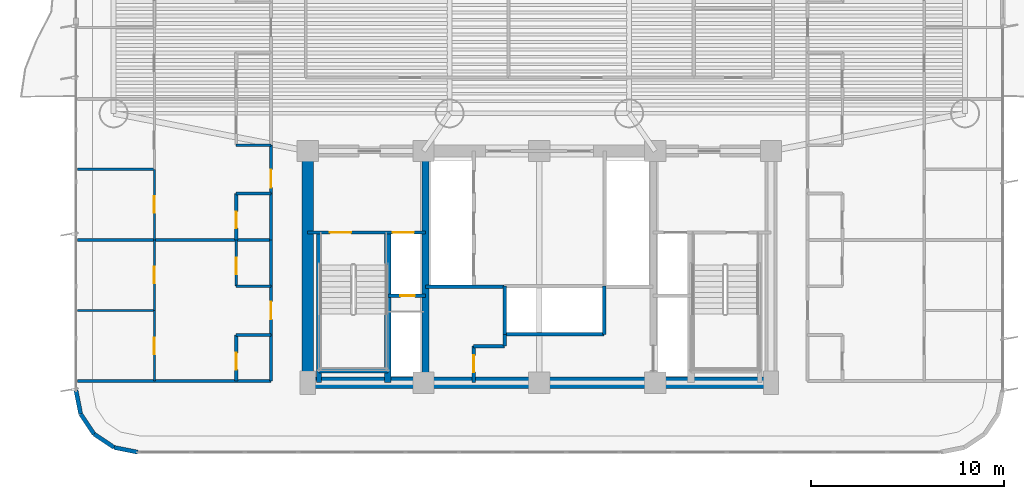
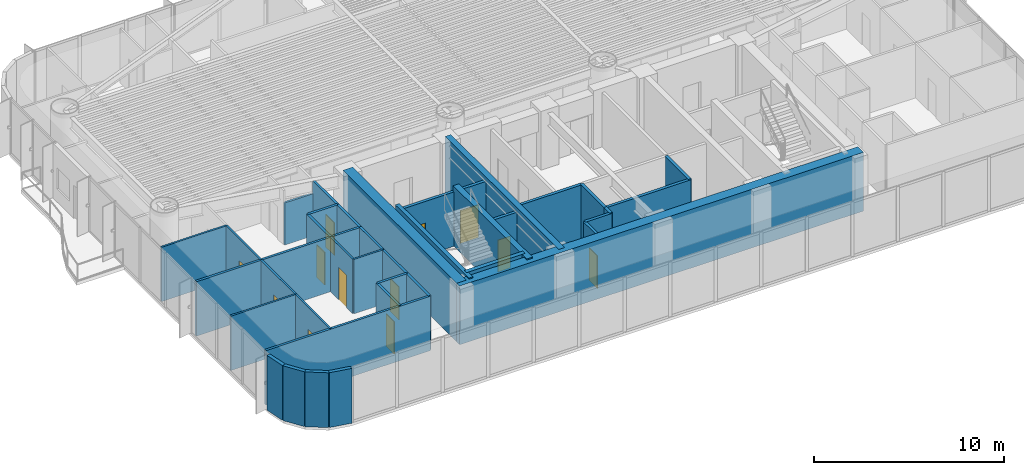
# One storey, part 10 of 19: 38 walls, 12 doors, 12 openings.
"""IFC4 building model written with IfcOpenShell, lengths in metres."""

from ifc_helpers import new_model, si_unit, direction, frame, frame_2d, origin, origin_2d, place, context, subcontext, project, spatial, rectangle, extrude, source, transform, mapped, material, layer, layer_set, type_object, element, fill, save


model = new_model("IFC4")

# Units and contexts
model_context = context("Model", 3, precision=1e-05, world=origin(), true_north=direction((0.0, 1.0)))
body_context = subcontext(model_context, "Body", "Model", "MODEL_VIEW")
ifc_project = project(units=[si_unit("LENGTHUNIT", "METRE"), si_unit("AREAUNIT", "SQUARE_METRE"), si_unit("VOLUMEUNIT", "CUBIC_METRE"), si_unit("PLANEANGLEUNIT", "RADIAN"), si_unit("MASSUNIT", "GRAM", prefix="KILO")], contexts=[model_context])

# Site, building, storey
site_placement = place(None, origin())
site = spatial("IfcSite", under=ifc_project, at=site_placement, CompositionType="ELEMENT")
building_placement = place(site_placement, origin())
building = spatial("IfcBuilding", under=site, at=building_placement, Name="Brelvock Crest Care Tower", CompositionType="ELEMENT")
storey_placement = place(building_placement, frame((0.0, 0.0, 30.780029296875)))
storey = spatial("IfcBuildingStorey", under=building, at=storey_placement, Name="L07", CompositionType="ELEMENT", Elevation=30.780029296875)

# Walls
ifc_material_1 = material(Name="Concrete S80 (80 MPa)", Category="concrete")
ifc_layer_1 = layer(ifc_material_1, 0.60009765625, Name="WL-CS1")
ifc_layer_set_1 = layer_set([ifc_layer_1], Name="Concrete S80 (80 MPa)")
wall_type_1 = type_object("IfcWallType", Name="WL-CS1", PredefinedType="SHEAR", material=ifc_layer_set_1)
wall_1_placement = place(storey_placement, frame((48.300048828125, 6.0, 0.0), z_axis=(0.0, 0.0, 1.0), x_axis=(-1.0, 0.0, 0.0)))
element("IfcWall", 1, at=wall_1_placement, inside=storey, type_object=wall_type_1, Name="L07 Core South Shear Wall", PredefinedType="SHEAR", context=body_context, shape_type="SweptSolid", body=[
    extrude(rectangle(XDim=24.60009765625, YDim=0.60009765625, at=frame_2d((12.300048828125, 0.0))), origin(), (0.0, 0.0, 1.0), 3.780029296875),
])
wall_2_placement = place(storey_placement, frame((24.0, 6.0, 0.0), z_axis=(0.0, 0.0, 1.0), x_axis=(0.0, 1.0, 0.0)))
element("IfcWall", 2, at=wall_2_placement, inside=storey, type_object=wall_type_1, Name="L07 Core West Shear Wall", PredefinedType="SHEAR", context=body_context, shape_type="SweptSolid", body=[
    extrude(rectangle(XDim=12.0, YDim=0.60009765625, at=frame_2d((6.0, 0.0))), origin(), (0.0, 0.0, 1.0), 3.780029296875),
])
ifc_layer_2 = layer(ifc_material_1, 0.35009765625, Name="WL-CS5")
ifc_layer_set_2 = layer_set([ifc_layer_2], Name="Concrete S80 (80 MPa)")
wall_type_2 = type_object("IfcWallType", Name="WL-CS5", PredefinedType="SHEAR", material=ifc_layer_set_2)
wall_3_placement = place(storey_placement, frame((30.10009765625, 6.0, 0.0), z_axis=(0.0, 0.0, 1.0), x_axis=(0.0, 1.0, 0.0)))
element("IfcWall", 3, at=wall_3_placement, inside=storey, type_object=wall_type_2, Name="L07 Core Internal Web Wall West", PredefinedType="SHEAR", context=body_context, shape_type="SweptSolid", body=[
    extrude(rectangle(XDim=12.0, YDim=0.35009765625, at=frame_2d((6.0, 0.0))), origin(), (0.0, 0.0, 1.0), 3.780029296875),
])
wall_4_placement = place(storey_placement, frame((28.14990234375, 6.0, 0.0), z_axis=(0.0, 0.0, 1.0), x_axis=(0.0, 1.0, 0.0)))
element("IfcWall", 4, at=wall_4_placement, inside=storey, type_object=wall_type_2, Name="L07 Core Stair ST-1 East Shear Wall", PredefinedType="SHEAR", context=body_context, shape_type="SweptSolid", body=[
    extrude(rectangle(XDim=7.780029296875, YDim=0.35009765625, at=frame_2d((3.89013671875, 0.0))), origin(), (0.0, 0.0, 1.0), 3.849853515625),
])
ifc_layer_3 = layer(ifc_material_1, 0.25, Name="WL-CS6")
ifc_layer_set_3 = layer_set([ifc_layer_3], Name="Concrete S80 (80 MPa)")
wall_type_3 = type_object("IfcWallType", Name="WL-CS6", PredefinedType="SHEAR", material=ifc_layer_set_3)
wall_5_placement = place(storey_placement, frame((24.580078125, 6.0, 0.0), z_axis=(0.0, 0.0, 1.0), x_axis=(0.0, 1.0, 0.0)))
element("IfcWall", 5, at=wall_5_placement, inside=storey, type_object=wall_type_3, Name="L07 Core Stair ST-1 West Shear Wall", PredefinedType="SHEAR", context=body_context, shape_type="SweptSolid", body=[
    extrude(rectangle(XDim=7.780029296875, YDim=0.25, at=frame_2d((3.89013671875, 0.0))), origin(), (0.0, 0.0, 1.0), 3.849853515625),
])
wall_6_placement = place(storey_placement, frame((24.580078125, 6.6201171875, 0.0), z_axis=(0.0, 0.0, 1.0), x_axis=(1.0, 0.0, 0.0)))
element("IfcWall", 6, at=wall_6_placement, inside=storey, type_object=wall_type_3, Name="L07 Core Stair ST-1 South Shear Wall", PredefinedType="SHEAR", context=body_context, shape_type="SweptSolid", body=[
    extrude(rectangle(XDim=3.56982421875, YDim=0.25, at=frame_2d((1.784912109375, 0.0))), origin(), (0.0, 0.0, 1.0), 3.849853515625),
])
ifc_material_2 = material(Name="Precast concrete N40 (40 MPa)", Category="concrete")
ifc_layer_4 = layer(ifc_material_2, 0.215087890625, Name="WL-EX2")
ifc_layer_set_4 = layer_set([ifc_layer_4], Name="Precast concrete N40 (40 MPa)")
wall_type_4 = type_object("IfcWallType", Name="WL-EX2", PredefinedType="SOLIDWALL", material=ifc_layer_set_4)
for number, where, z_axis, x_axis, name in (
    (7, (15.199951171875, 2.39990234375, 0.0), (0.0, 0.0, 1.0), (-0.980775717779, 0.195138390419, 0.0), "L07 Rounded Corner Wall 09"),
    (8, (13.975341796875, 2.6435546875, 0.0), (0.0, 0.0, 1.0), (-0.831387912822, 0.555692485475, 0.0), "L07 Rounded Corner Wall 10"),
    (9, (12.937255859375, 3.33740234375, 0.0), (0.0, 0.0, 1.0), (-0.555557312883, 0.831478245117, 0.0), "L07 Rounded Corner Wall 11"),
    (10, (12.24365234375, 4.37548828125, 0.0), (0.0, 0.0, 1.0), (-0.195138390419, 0.980775717779, 0.0), "L07 Rounded Corner Wall 12"),
):
    element("IfcWall", number, at=place(storey_placement, frame(where, z_axis=z_axis, x_axis=x_axis)), inside=storey, type_object=wall_type_4, Name=name, PredefinedType="SOLIDWALL", context=body_context, shape_type="SweptSolid", body=[
        extrude(rectangle(XDim=1.24853515625, YDim=0.215087890625, at=frame_2d((0.624267578125, 0.0))), origin(), (0.0, 0.0, 1.0), 3.530029296875),
    ])
ifc_material_3 = material(Name="Masonry Blockwork Acoustic Partition", Category="masonry")
ifc_layer_5 = layer(ifc_material_3, 0.14990234375, Name="WL-INT1")
ifc_layer_set_5 = layer_set([ifc_layer_5], Name="Masonry Blockwork Acoustic Partition")
wall_type_5 = type_object("IfcWallType", Name="WL-INT1", PredefinedType="PARTITIONING", material=ifc_layer_set_5)
for number, where, z_axis, x_axis, name in (
    (11, (12.080078125, 6.080078125, 0.0), (0.0, 0.0, 1.0), (1.0, 0.0, 0.0), "L07 Interior Wall WL-BX-L07-FL-WW1-S"),
    (12, (12.080078125, 13.39990234375, 0.0), (0.0, 0.0, 1.0), (1.0, 0.0, 0.0), "L07 Interior Wall WL-BX-L07-FL-WW1-N"),
):
    element("IfcWall", number, at=place(storey_placement, frame(where, z_axis=z_axis, x_axis=x_axis)), inside=storey, type_object=wall_type_5, Name=name, PredefinedType="PARTITIONING", context=body_context, shape_type="SweptSolid", body=[
        extrude(rectangle(XDim=10.02001953125, YDim=0.14990234375, at=frame_2d((5.010009765625, 0.0))), origin(), (0.0, 0.0, 1.0), 3.5),
    ])

# Wall, opening, door
wall_7_placement = place(storey_placement, frame((22.10009765625, 8.47998046875, 0.0), z_axis=(0.0, 0.0, 1.0), x_axis=(0.0, 1.0, 0.0)))
wall_7 = element("IfcWall", 13, at=wall_7_placement, inside=storey, type_object=wall_type_5, Name="L07 Interior Wall WL-UENT-L07-WW1", PredefinedType="PARTITIONING", context=body_context, shape_type="SweptSolid", body=[
    extrude(rectangle(XDim=2.52001953125, YDim=0.14990234375, at=frame_2d((1.260009765625, 0.0))), origin(), (0.0, 0.0, 1.0), 3.5),
])
opening_1_placement = place(wall_7_placement, frame((0.800048828125, 0.0, 0.0)))
opening_1 = element("IfcOpeningElement", 14, at=opening_1_placement, cuts=wall_7, Name="Opening AD-1", PredefinedType="OPENING", context=body_context, shape_type="SweptSolid", body=[
    extrude(rectangle(XDim=0.919921875, YDim=2.10009765625, at=origin_2d()), frame((0.4599609375, 0.0849609375, 1.050048828125), z_axis=(0.0, -1.0, 0.0), x_axis=(1.0, 0.0, 0.0)), (0.0, 0.0, 1.0), 0.169921875),
])
ifc_material_4 = material(Name="Engineered Hardwood Timber", Category="wood")
door_type_1 = type_object("IfcDoorType", Name="DR-APT1", OperationType="NOTDEFINED", PredefinedType="DOOR", material=ifc_material_4)
shared_shape_1 = source(origin(), body_context, "Body", "SweptSolid", [
    extrude(rectangle(XDim=0.919921875, YDim=2.10009765625, at=origin_2d()), frame((0.4599609375, 0.02490234375, 1.050048828125), z_axis=(0.0, -1.0, 0.0), x_axis=(1.0, 0.0, 0.0)), (0.0, 0.0, 1.0), 0.050048828125),
])
door_1_placement = place(opening_1_placement, origin())
door_1 = element("IfcDoor", 15, at=door_1_placement, inside=storey, type_object=door_type_1, Name="L07 Apartment Entrance WW1", OperationType="SINGLE_SWING_LEFT", OverallHeight=2.10009765625, OverallWidth=0.919921875, PredefinedType="DOOR", context=body_context, shape_type="MappedRepresentation", body=[
    mapped(shared_shape_1, transform((0.0, 0.0, 0.0), x_axis=(1.0, 0.0, 0.0), y_axis=(0.0, 1.0, 0.0), z_axis=(0.0, 0.0, 1.0), scale=1.0)),
])
fill(opening_1, door_1)

# Wall
wall_8_placement = place(storey_placement, frame((22.10009765625, 11.0, 0.0), z_axis=(0.0, 0.0, 1.0), x_axis=(0.0, 1.0, 0.0)))
element("IfcWall", 16, at=wall_8_placement, inside=storey, type_object=wall_type_5, Name="L07 Interior Wall WL-UCK-L07-WW1", PredefinedType="PARTITIONING", context=body_context, shape_type="SweptSolid", body=[
    extrude(rectangle(XDim=2.39990234375, YDim=0.14990234375, at=frame_2d((1.199951171875, 0.0))), origin(), (0.0, 0.0, 1.0), 3.5),
])

# Wall, opening, door
wall_9_placement = place(storey_placement, frame((22.10009765625, 15.800048828125, 0.0), z_axis=(0.0, 0.0, 1.0), x_axis=(0.0, 1.0, 0.0)))
wall_9 = element("IfcWall", 17, at=wall_9_placement, inside=storey, type_object=wall_type_5, Name="L07 Interior Wall WL-UENT-L07-WW2", PredefinedType="PARTITIONING", context=body_context, shape_type="SweptSolid", body=[
    extrude(rectangle(XDim=2.5, YDim=0.14990234375, at=frame_2d((1.25, 0.0))), origin(), (0.0, 0.0, 1.0), 3.5),
])
opening_2_placement = place(wall_9_placement, frame((0.31005859375, 0.0, 0.0)))
opening_2 = element("IfcOpeningElement", 18, at=opening_2_placement, cuts=wall_9, Name="Opening AD-1", PredefinedType="OPENING", context=body_context, shape_type="SweptSolid", body=[
    extrude(rectangle(XDim=0.919921875, YDim=2.10009765625, at=origin_2d()), frame((0.4599609375, 0.0849609375, 1.050048828125), z_axis=(0.0, -1.0, 0.0), x_axis=(1.0, 0.0, 0.0)), (0.0, 0.0, 1.0), 0.169921875),
])
door_2_placement = place(opening_2_placement, origin())
door_2 = element("IfcDoor", 19, at=door_2_placement, inside=storey, type_object=door_type_1, Name="L07 Apartment Entrance WW2", OperationType="SINGLE_SWING_LEFT", OverallHeight=2.10009765625, OverallWidth=0.919921875, PredefinedType="DOOR", context=body_context, shape_type="MappedRepresentation", body=[
    mapped(shared_shape_1, transform((0.0, 0.0, 0.0), x_axis=(1.0, 0.0, 0.0), y_axis=(0.0, 1.0, 0.0), z_axis=(0.0, 0.0, 1.0), scale=1.0)),
])
fill(opening_2, door_2)

# Walls
ifc_material_5 = material(Name="Gypsum Plasterboard Partition", Category="gypsum")
ifc_layer_6 = layer(ifc_material_5, 0.1201171875, Name="WL-INT2")
ifc_layer_set_6 = layer_set([ifc_layer_6], Name="Gypsum Plasterboard Partition")
wall_type_6 = type_object("IfcWallType", Name="WL-INT2", PredefinedType="PARTITIONING", material=ifc_layer_set_6)
wall_10_placement = place(storey_placement, frame((12.080078125, 9.739990234375, 0.0), z_axis=(0.0, 0.0, 1.0), x_axis=(1.0, 0.0, 0.0)))
element("IfcWall", 20, at=wall_10_placement, inside=storey, type_object=wall_type_6, Name="L07 Interior Wall WL-UBSP-L07-WW1", PredefinedType="PARTITIONING", context=body_context, shape_type="SweptSolid", body=[
    extrude(rectangle(XDim=3.98388671875, YDim=0.1201171875, at=frame_2d((1.991943359375, 0.0))), origin(), (0.0, 0.0, 1.0), 3.5),
])
wall_11_placement = place(storey_placement, frame((20.300048828125, 11.0, 0.0), z_axis=(0.0, 0.0, 1.0), x_axis=(1.0, 0.0, 0.0)))
element("IfcWall", 21, at=wall_11_placement, inside=storey, type_object=wall_type_6, Name="L07 Interior Wall WL-UKIT2-L07-WW1", PredefinedType="PARTITIONING", context=body_context, shape_type="SweptSolid", body=[
    extrude(rectangle(XDim=1.800048828125, YDim=0.1201171875, at=frame_2d((0.89990234375, 0.0))), origin(), (0.0, 0.0, 1.0), 3.5),
])
wall_12_placement = place(storey_placement, frame((12.080078125, 17.050048828125, 0.0), z_axis=(0.0, 0.0, 1.0), x_axis=(1.0, 0.0, 0.0)))
element("IfcWall", 22, at=wall_12_placement, inside=storey, type_object=wall_type_6, Name="L07 Interior Wall WL-UBSP-L07-WW2", PredefinedType="PARTITIONING", context=body_context, shape_type="SweptSolid", body=[
    extrude(rectangle(XDim=3.98388671875, YDim=0.1201171875, at=frame_2d((1.991943359375, 0.0))), origin(), (0.0, 0.0, 1.0), 3.5),
])
wall_13_placement = place(storey_placement, frame((20.300048828125, 18.300048828125, 0.0), z_axis=(0.0, 0.0, 1.0), x_axis=(1.0, 0.0, 0.0)))
element("IfcWall", 23, at=wall_13_placement, inside=storey, type_object=wall_type_6, Name="L07 Interior Wall WL-UKIT2-L07-WW2", PredefinedType="PARTITIONING", context=body_context, shape_type="SweptSolid", body=[
    extrude(rectangle(XDim=1.800048828125, YDim=0.1201171875, at=frame_2d((0.89990234375, 0.0))), origin(), (0.0, 0.0, 1.0), 2.715087890625),
])

# Wall, opening, door
wall_14_placement = place(storey_placement, frame((16.06396484375, 6.080078125, 0.0), z_axis=(0.0, 0.0, 1.0), x_axis=(0.0, 1.0, 0.0)))
wall_14 = element("IfcWall", 24, at=wall_14_placement, inside=storey, type_object=wall_type_6, Name="L07 Interior Wall WL-UBD1-L07-WW1", PredefinedType="PARTITIONING", context=body_context, shape_type="SweptSolid", body=[
    extrude(rectangle(XDim=3.659912109375, YDim=0.1201171875, at=frame_2d((1.830078125, 0.0))), origin(), (0.0, 0.0, 1.0), 3.5),
])
opening_3_placement = place(wall_14_placement, frame((1.39990234375, 0.0, 0.0)))
opening_3 = element("IfcOpeningElement", 25, at=opening_3_placement, cuts=wall_14, Name="Opening ID-1", PredefinedType="OPENING", context=body_context, shape_type="SweptSolid", body=[
    extrude(rectangle(XDim=0.860107421875, YDim=2.10009765625, at=origin_2d()), frame((0.43017578125, 0.070068359375, 1.050048828125), z_axis=(0.0, -1.0, 0.0), x_axis=(1.0, 0.0, 0.0)), (0.0, 0.0, 1.0), 0.14013671875),
])
door_type_2 = type_object("IfcDoorType", Name="DR-INT1", OperationType="NOTDEFINED", PredefinedType="DOOR", material=ifc_material_4)
shared_shape_2 = source(origin(), body_context, "Body", "SweptSolid", [
    extrude(rectangle(XDim=0.860107421875, YDim=2.10009765625, at=origin_2d()), frame((0.43017578125, 0.02490234375, 1.050048828125), z_axis=(0.0, -1.0, 0.0), x_axis=(1.0, 0.0, 0.0)), (0.0, 0.0, 1.0), 0.050048828125),
])
door_3_placement = place(opening_3_placement, origin())
door_3 = element("IfcDoor", 26, at=door_3_placement, inside=storey, type_object=door_type_2, Name="L07 Primary Bedroom Door WW1", OperationType="SINGLE_SWING_RIGHT", OverallHeight=2.10009765625, OverallWidth=0.860107421875, PredefinedType="DOOR", context=body_context, shape_type="MappedRepresentation", body=[
    mapped(shared_shape_2, transform((0.0, 0.0, 0.0), x_axis=(1.0, 0.0, 0.0), y_axis=(0.0, 1.0, 0.0), z_axis=(0.0, 0.0, 1.0), scale=1.0)),
])
fill(opening_3, door_3)

wall_15_placement = place(storey_placement, frame((16.06396484375, 9.739990234375, 0.0), z_axis=(0.0, 0.0, 1.0), x_axis=(0.0, 1.0, 0.0)))
wall_15 = element("IfcWall", 27, at=wall_15_placement, inside=storey, type_object=wall_type_6, Name="L07 Interior Wall WL-UBD2-L07-WW1", PredefinedType="PARTITIONING", context=body_context, shape_type="SweptSolid", body=[
    extrude(rectangle(XDim=3.659912109375, YDim=0.1201171875, at=frame_2d((1.830078125, 0.0))), origin(), (0.0, 0.0, 1.0), 3.5),
])
opening_4_placement = place(wall_15_placement, frame((1.39990234375, 0.0, 0.0)))
opening_4 = element("IfcOpeningElement", 28, at=opening_4_placement, cuts=wall_15, Name="Opening ID-1", PredefinedType="OPENING", context=body_context, shape_type="SweptSolid", body=[
    extrude(rectangle(XDim=0.860107421875, YDim=2.10009765625, at=origin_2d()), frame((0.43017578125, 0.070068359375, 1.050048828125), z_axis=(0.0, -1.0, 0.0), x_axis=(1.0, 0.0, 0.0)), (0.0, 0.0, 1.0), 0.14013671875),
])
door_4_placement = place(opening_4_placement, origin())
door_4 = element("IfcDoor", 29, at=door_4_placement, inside=storey, type_object=door_type_2, Name="L07 Second Room Door WW1", OperationType="SINGLE_SWING_LEFT", OverallHeight=2.10009765625, OverallWidth=0.860107421875, PredefinedType="DOOR", context=body_context, shape_type="MappedRepresentation", body=[
    mapped(shared_shape_2, transform((0.0, 0.0, 0.0), x_axis=(1.0, 0.0, 0.0), y_axis=(0.0, 1.0, 0.0), z_axis=(0.0, 0.0, 1.0), scale=1.0)),
])
fill(opening_4, door_4)

wall_16_placement = place(storey_placement, frame((16.06396484375, 13.39990234375, 0.0), z_axis=(0.0, 0.0, 1.0), x_axis=(0.0, 1.0, 0.0)))
wall_16 = element("IfcWall", 30, at=wall_16_placement, inside=storey, type_object=wall_type_6, Name="L07 Interior Wall WL-UBD1-L07-WW2", PredefinedType="PARTITIONING", context=body_context, shape_type="SweptSolid", body=[
    extrude(rectangle(XDim=3.650146484375, YDim=0.1201171875, at=frame_2d((1.8251953125, 0.0))), origin(), (0.0, 0.0, 1.0), 3.5),
])
opening_5_placement = place(wall_16_placement, frame((1.39501953125, 0.0, 0.0)))
opening_5 = element("IfcOpeningElement", 31, at=opening_5_placement, cuts=wall_16, Name="Opening ID-1", PredefinedType="OPENING", context=body_context, shape_type="SweptSolid", body=[
    extrude(rectangle(XDim=0.860107421875, YDim=2.10009765625, at=origin_2d()), frame((0.43017578125, 0.070068359375, 1.050048828125), z_axis=(0.0, -1.0, 0.0), x_axis=(1.0, 0.0, 0.0)), (0.0, 0.0, 1.0), 0.14013671875),
])
door_5_placement = place(opening_5_placement, origin())
door_5 = element("IfcDoor", 32, at=door_5_placement, inside=storey, type_object=door_type_2, Name="L07 Primary Bedroom Door WW2", OperationType="SINGLE_SWING_RIGHT", OverallHeight=2.10009765625, OverallWidth=0.860107421875, PredefinedType="DOOR", context=body_context, shape_type="MappedRepresentation", body=[
    mapped(shared_shape_2, transform((0.0, 0.0, 0.0), x_axis=(1.0, 0.0, 0.0), y_axis=(0.0, 1.0, 0.0), z_axis=(0.0, 0.0, 1.0), scale=1.0)),
])
fill(opening_5, door_5)

wall_17_placement = place(storey_placement, frame((20.300048828125, 11.0, 0.0), z_axis=(0.0, 0.0, 1.0), x_axis=(0.0, 1.0, 0.0)))
wall_17 = element("IfcWall", 33, at=wall_17_placement, inside=storey, type_object=wall_type_6, Name="L07 Interior Wall WL-UKIT1-L07-WW1", PredefinedType="PARTITIONING", context=body_context, shape_type="SweptSolid", body=[
    extrude(rectangle(XDim=2.39990234375, YDim=0.1201171875, at=frame_2d((1.199951171875, 0.0))), origin(), (0.0, 0.0, 1.0), 3.5),
])
opening_6_placement = place(wall_17_placement, frame((0.6201171875, 0.0, 0.0)))
opening_6 = element("IfcOpeningElement", 34, at=opening_6_placement, cuts=wall_17, Name="Opening ID-1", PredefinedType="OPENING", context=body_context, shape_type="SweptSolid", body=[
    extrude(rectangle(XDim=0.860107421875, YDim=2.10009765625, at=origin_2d()), frame((0.43017578125, 0.070068359375, 1.050048828125), z_axis=(0.0, -1.0, 0.0), x_axis=(1.0, 0.0, 0.0)), (0.0, 0.0, 1.0), 0.14013671875),
])
door_6_placement = place(opening_6_placement, origin())
door_6 = element("IfcDoor", 35, at=door_6_placement, inside=storey, type_object=door_type_2, Name="L07 Kitchen Door WW1", OperationType="SINGLE_SWING_LEFT", OverallHeight=2.10009765625, OverallWidth=0.860107421875, PredefinedType="DOOR", context=body_context, shape_type="MappedRepresentation", body=[
    mapped(shared_shape_2, transform((0.0, 0.0, 0.0), x_axis=(1.0, 0.0, 0.0), y_axis=(0.0, 1.0, 0.0), z_axis=(0.0, 0.0, 1.0), scale=1.0)),
])
fill(opening_6, door_6)

# Walls
ifc_layer_7 = layer(ifc_material_5, 0.159912109375, Name="WL-PLM1")
ifc_layer_set_7 = layer_set([ifc_layer_7], Name="Gypsum Plasterboard Partition")
wall_type_7 = type_object("IfcWallType", Name="WL-PLM1", PredefinedType="PLUMBINGWALL", material=ifc_layer_set_7)
for number, where, z_axis, x_axis, name in (
    (36, (20.300048828125, 8.47998046875, 0.0), (0.0, 0.0, 1.0), (1.0, 0.0, 0.0), "L07 Interior Wall WL-UBTH2-L07-WW1"),
    (37, (20.300048828125, 15.800048828125, 0.0), (0.0, 0.0, 1.0), (1.0, 0.0, 0.0), "L07 Interior Wall WL-UBTH2-L07-WW2"),
):
    element("IfcWall", number, at=place(storey_placement, frame(where, z_axis=z_axis, x_axis=x_axis)), inside=storey, type_object=wall_type_7, Name=name, PredefinedType="PLUMBINGWALL", context=body_context, shape_type="SweptSolid", body=[
        extrude(rectangle(XDim=1.800048828125, YDim=0.159912109375, at=frame_2d((0.89990234375, 0.0))), origin(), (0.0, 0.0, 1.0), 3.5),
    ])

# Wall, opening, door
wall_18_placement = place(storey_placement, frame((20.300048828125, 6.080078125, 0.0), z_axis=(0.0, 0.0, 1.0), x_axis=(0.0, 1.0, 0.0)))
wall_18 = element("IfcWall", 38, at=wall_18_placement, inside=storey, type_object=wall_type_7, Name="L07 Interior Wall WL-UBTH1-L07-WW1", PredefinedType="PLUMBINGWALL", context=body_context, shape_type="SweptSolid", body=[
    extrude(rectangle(XDim=2.39990234375, YDim=0.159912109375, at=frame_2d((1.199951171875, 0.0))), origin(), (0.0, 0.0, 1.0), 3.5),
])
opening_7_placement = place(wall_18_placement, frame((0.60009765625, 0.0, 0.0)))
opening_7 = element("IfcOpeningElement", 39, at=opening_7_placement, cuts=wall_18, Name="Opening WD-1", PredefinedType="OPENING", context=body_context, shape_type="SweptSolid", body=[
    extrude(rectangle(XDim=0.860107421875, YDim=2.10009765625, at=origin_2d()), frame((0.43017578125, 0.08984375, 1.050048828125), z_axis=(0.0, -1.0, 0.0), x_axis=(1.0, 0.0, 0.0)), (0.0, 0.0, 1.0), 0.179931640625),
])
door_type_3 = type_object("IfcDoorType", Name="DR-WC1", OperationType="NOTDEFINED", PredefinedType="DOOR", material=ifc_material_4)
shared_shape_3 = source(origin(), body_context, "Body", "SweptSolid", [
    extrude(rectangle(XDim=0.860107421875, YDim=2.10009765625, at=origin_2d()), frame((0.43017578125, 0.02490234375, 1.050048828125), z_axis=(0.0, -1.0, 0.0), x_axis=(1.0, 0.0, 0.0)), (0.0, 0.0, 1.0), 0.050048828125),
])
door_7_placement = place(opening_7_placement, origin())
door_7 = element("IfcDoor", 40, at=door_7_placement, inside=storey, type_object=door_type_3, Name="L07 Bathroom Door WW1", OperationType="SINGLE_SWING_LEFT", OverallHeight=2.10009765625, OverallWidth=0.860107421875, PredefinedType="DOOR", context=body_context, shape_type="MappedRepresentation", body=[
    mapped(shared_shape_3, transform((0.0, 0.0, 0.0), x_axis=(1.0, 0.0, 0.0), y_axis=(0.0, 1.0, 0.0), z_axis=(0.0, 0.0, 1.0), scale=1.0)),
])
fill(opening_7, door_7)

wall_19_placement = place(storey_placement, frame((20.300048828125, 13.39990234375, 0.0), z_axis=(0.0, 0.0, 1.0), x_axis=(0.0, 1.0, 0.0)))
wall_19 = element("IfcWall", 41, at=wall_19_placement, inside=storey, type_object=wall_type_7, Name="L07 Interior Wall WL-UBTH1-L07-WW2", PredefinedType="PLUMBINGWALL", context=body_context, shape_type="SweptSolid", body=[
    extrude(rectangle(XDim=2.400146484375, YDim=0.159912109375, at=frame_2d((1.2001953125, 0.0))), origin(), (0.0, 0.0, 1.0), 3.5),
])
opening_8_placement = place(wall_19_placement, frame((0.60009765625, 0.0, 0.0)))
opening_8 = element("IfcOpeningElement", 42, at=opening_8_placement, cuts=wall_19, Name="Opening WD-1", PredefinedType="OPENING", context=body_context, shape_type="SweptSolid", body=[
    extrude(rectangle(XDim=0.860107421875, YDim=2.10009765625, at=origin_2d()), frame((0.43017578125, 0.08984375, 1.050048828125), z_axis=(0.0, -1.0, 0.0), x_axis=(1.0, 0.0, 0.0)), (0.0, 0.0, 1.0), 0.179931640625),
])
door_8_placement = place(opening_8_placement, origin())
door_8 = element("IfcDoor", 43, at=door_8_placement, inside=storey, type_object=door_type_3, Name="L07 Bathroom Door WW2", OperationType="SINGLE_SWING_LEFT", OverallHeight=2.10009765625, OverallWidth=0.860107421875, PredefinedType="DOOR", context=body_context, shape_type="MappedRepresentation", body=[
    mapped(shared_shape_3, transform((0.0, 0.0, 0.0), x_axis=(1.0, 0.0, 0.0), y_axis=(0.0, 1.0, 0.0), z_axis=(0.0, 0.0, 1.0), scale=1.0)),
])
fill(opening_8, door_8)

# Walls
wall_20_placement = place(storey_placement, frame((22.10009765625, 6.080078125, 0.0), z_axis=(0.0, 0.0, 1.0), x_axis=(0.0, 1.0, 0.0)))
element("IfcWall", 44, at=wall_20_placement, inside=storey, type_object=wall_type_7, Name="L07 Interior Wall WL-UCB-L07-WW1", PredefinedType="PLUMBINGWALL", context=body_context, shape_type="SweptSolid", body=[
    extrude(rectangle(XDim=2.39990234375, YDim=0.159912109375, at=frame_2d((1.199951171875, 0.0))), origin(), (0.0, 0.0, 1.0), 3.5),
])
wall_21_placement = place(storey_placement, frame((22.10009765625, 13.39990234375, 0.0), z_axis=(0.0, 0.0, 1.0), x_axis=(0.0, 1.0, 0.0)))
element("IfcWall", 45, at=wall_21_placement, inside=storey, type_object=wall_type_7, Name="L07 Interior Wall WL-UCB-L07-WW2", PredefinedType="PLUMBINGWALL", context=body_context, shape_type="SweptSolid", body=[
    extrude(rectangle(XDim=2.400146484375, YDim=0.159912109375, at=frame_2d((1.2001953125, 0.0))), origin(), (0.0, 0.0, 1.0), 3.5),
])
ifc_layer_8 = layer(ifc_material_3, 0.179931640625, Name="WL-SHF1")
ifc_layer_set_8 = layer_set([ifc_layer_8], Name="Masonry Blockwork Acoustic Partition")
wall_type_8 = type_object("IfcWallType", Name="WL-SHF1", PredefinedType="PARTITIONING", material=ifc_layer_set_8)
wall_22_placement = place(storey_placement, frame((34.199951171875, 8.5, 0.0), z_axis=(0.0, 0.0, 1.0), x_axis=(1.0, 0.0, 0.0)))
element("IfcWall", 46, at=wall_22_placement, inside=storey, type_object=wall_type_8, Name="L07 Interior Wall WL-PLM-S-L07", PredefinedType="PARTITIONING", context=body_context, shape_type="SweptSolid", body=[
    extrude(rectangle(XDim=5.150146484375, YDim=0.179931640625, at=frame_2d((2.5751953125, 0.0))), origin(), (0.0, 0.0, 1.0), 3.5),
])
for number, where, z_axis, x_axis, name in (
    (47, (34.199951171875, 8.5, 0.0), (0.0, 0.0, 1.0), (0.0, 1.0, 0.0), "L07 Interior Wall WL-PLM-W-L07"),
    (48, (39.35009765625, 8.5, 0.0), (0.0, 0.0, 1.0), (0.0, 1.0, 0.0), "L07 Interior Wall WL-PLM-E-L07"),
):
    element("IfcWall", number, at=place(storey_placement, frame(where, z_axis=z_axis, x_axis=x_axis)), inside=storey, type_object=wall_type_8, Name=name, PredefinedType="PARTITIONING", context=body_context, shape_type="SweptSolid", body=[
        extrude(rectangle(XDim=2.5, YDim=0.179931640625, at=frame_2d((1.25, 0.0))), origin(), (0.0, 0.0, 1.0), 3.5),
    ])
wall_23_placement = place(storey_placement, frame((30.10009765625, 10.97998046875, 0.0), z_axis=(0.0, 0.0, 1.0), x_axis=(1.0, 0.0, 0.0)))
element("IfcWall", 49, at=wall_23_placement, inside=storey, type_object=wall_type_8, Name="L07 Interior Wall WL-CSBW-N-L07", PredefinedType="PARTITIONING", context=body_context, shape_type="SweptSolid", body=[
    extrude(rectangle(XDim=4.079833984375, YDim=0.179931640625, at=frame_2d((2.0400390625, 0.0))), origin(), (0.0, 0.0, 1.0), 3.5),
])
wall_24_placement = place(storey_placement, frame((34.199951171875, 7.89990234375, 0.0), z_axis=(0.0, 0.0, 1.0), x_axis=(0.0, 1.0, 0.0)))
element("IfcWall", 50, at=wall_24_placement, inside=storey, type_object=wall_type_8, Name="L07 Interior Wall WL-CSBW-E2-L07", PredefinedType="PARTITIONING", context=body_context, shape_type="SweptSolid", body=[
    extrude(rectangle(XDim=0.60009765625, YDim=0.179931640625, at=frame_2d((0.300048828125, 0.0))), origin(), (0.0, 0.0, 1.0), 3.5),
])
wall_25_placement = place(storey_placement, frame((32.60009765625, 7.89990234375, 0.0), z_axis=(0.0, 0.0, 1.0), x_axis=(1.0, 0.0, 0.0)))
element("IfcWall", 51, at=wall_25_placement, inside=storey, type_object=wall_type_8, Name="L07 Interior Wall WL-CSBW-S2-L07", PredefinedType="PARTITIONING", context=body_context, shape_type="SweptSolid", body=[
    extrude(rectangle(XDim=1.599853515625, YDim=0.179931640625, at=frame_2d((0.7998046875, 0.0))), origin(), (0.0, 0.0, 1.0), 3.5),
])

# Wall, opening, door
wall_26_placement = place(storey_placement, frame((32.60009765625, 6.0, 0.0), z_axis=(0.0, 0.0, 1.0), x_axis=(0.0, 1.0, 0.0)))
wall_26 = element("IfcWall", 52, at=wall_26_placement, inside=storey, type_object=wall_type_8, Name="L07 Interior Wall WL-CSBW-E1-L07", PredefinedType="PARTITIONING", context=body_context, shape_type="SweptSolid", body=[
    extrude(rectangle(XDim=1.89990234375, YDim=0.179931640625, at=frame_2d((0.949951171875, 0.0))), origin(), (0.0, 0.0, 1.0), 3.5),
])
opening_9_placement = place(wall_26_placement, frame((0.550048828125, 0.0, 0.0)))
opening_9 = element("IfcOpeningElement", 53, at=opening_9_placement, cuts=wall_26, Name="Opening ID-1", PredefinedType="OPENING", context=body_context, shape_type="SweptSolid", body=[
    extrude(rectangle(XDim=0.860107421875, YDim=2.10009765625, at=origin_2d()), frame((0.43017578125, 0.10009765625, 1.050048828125), z_axis=(0.0, -1.0, 0.0), x_axis=(1.0, 0.0, 0.0)), (0.0, 0.0, 1.0), 0.199951171875),
])
door_9_placement = place(opening_9_placement, origin())
door_9 = element("IfcDoor", 54, at=door_9_placement, inside=storey, type_object=door_type_2, Name="DR-CSBW-L07", OperationType="SINGLE_SWING_LEFT", OverallHeight=2.10009765625, OverallWidth=0.860107421875, PredefinedType="DOOR", context=body_context, shape_type="MappedRepresentation", body=[
    mapped(shared_shape_2, transform((0.0, 0.0, 0.0), x_axis=(1.0, 0.0, 0.0), y_axis=(0.0, 1.0, 0.0), z_axis=(0.0, 0.0, 1.0), scale=1.0)),
])
fill(opening_9, door_9)

# Wall, openings, doors
wall_27_placement = place(storey_placement, frame((24.0, 13.780029296875, 0.0), z_axis=(0.0, 0.0, 1.0), x_axis=(1.0, 0.0, 0.0)))
wall_27 = element("IfcWall", 55, at=wall_27_placement, inside=storey, type_object=wall_type_8, Name="L07 Interior Wall WL-ST1-N-L07", PredefinedType="PARTITIONING", context=body_context, shape_type="SweptSolid", body=[
    extrude(rectangle(XDim=6.10009765625, YDim=0.179931640625, at=frame_2d((3.050048828125, 0.0))), origin(), (0.0, 0.0, 1.0), 3.5),
])
opening_10_placement = place(wall_27_placement, frame((1.14990234375, 0.0, 0.0)))
opening_10 = element("IfcOpeningElement", 56, at=opening_10_placement, cuts=wall_27, Name="Opening SD-1", PredefinedType="OPENING", context=body_context, shape_type="SweptSolid", body=[
    extrude(rectangle(XDim=1.10009765625, YDim=2.10009765625, at=origin_2d()), frame((0.550048828125, 0.10009765625, 1.050048828125), z_axis=(0.0, -1.0, 0.0), x_axis=(1.0, 0.0, 0.0)), (0.0, 0.0, 1.0), 0.199951171875),
])
opening_11_placement = place(wall_27_placement, frame((4.39990234375, 0.0, 0.0)))
opening_11 = element("IfcOpeningElement", 57, at=opening_11_placement, cuts=wall_27, Name="Opening LD", PredefinedType="OPENING", context=body_context, shape_type="SweptSolid", body=[
    extrude(rectangle(XDim=1.10009765625, YDim=2.10009765625, at=origin_2d()), frame((0.550048828125, 0.10009765625, 1.050048828125), z_axis=(0.0, -1.0, 0.0), x_axis=(1.0, 0.0, 0.0)), (0.0, 0.0, 1.0), 0.199951171875),
])
ifc_material_6 = material(Name="Steel Grade 350", Category="steel")
door_type_4 = type_object("IfcDoorType", Name="DR-ST1", OperationType="NOTDEFINED", PredefinedType="DOOR", material=ifc_material_6)
shared_shape_4 = source(origin(), body_context, "Body", "SweptSolid", [
    extrude(rectangle(XDim=1.10009765625, YDim=2.10009765625, at=origin_2d()), frame((0.550048828125, 0.02490234375, 1.050048828125), z_axis=(0.0, -1.0, 0.0), x_axis=(1.0, 0.0, 0.0)), (0.0, 0.0, 1.0), 0.050048828125),
])
door_10_placement = place(opening_10_placement, origin())
door_10 = element("IfcDoor", 58, at=door_10_placement, inside=storey, type_object=door_type_4, Name="L07 Fire Stair ST-1 Door", OperationType="SINGLE_SWING_LEFT", OverallHeight=2.10009765625, OverallWidth=1.10009765625, PredefinedType="DOOR", context=body_context, shape_type="MappedRepresentation", body=[
    mapped(shared_shape_4, transform((0.0, 0.0, 0.0), x_axis=(1.0, 0.0, 0.0), y_axis=(0.0, 1.0, 0.0), z_axis=(0.0, 0.0, 1.0), scale=1.0)),
])
fill(opening_10, door_10)
door_type_5 = type_object("IfcDoorType", Name="DR-LD1", OperationType="NOTDEFINED", PredefinedType="DOOR", material=ifc_material_6)
shared_shape_5 = source(origin(), body_context, "Body", "SweptSolid", [
    extrude(rectangle(XDim=1.10009765625, YDim=2.10009765625, at=origin_2d()), frame((0.550048828125, 0.02490234375, 1.050048828125), z_axis=(0.0, -1.0, 0.0), x_axis=(1.0, 0.0, 0.0)), (0.0, 0.0, 1.0), 0.050048828125),
])
door_11_placement = place(opening_11_placement, origin())
door_11 = element("IfcDoor", 59, at=door_11_placement, inside=storey, type_object=door_type_5, Name="L07 Firefighting Lift FFL-1 Landing Door", OperationType="SLIDING_TO_LEFT", OverallHeight=2.10009765625, OverallWidth=1.10009765625, PredefinedType="DOOR", context=body_context, shape_type="MappedRepresentation", body=[
    mapped(shared_shape_5, transform((0.0, 0.0, 0.0), x_axis=(1.0, 0.0, 0.0), y_axis=(0.0, 1.0, 0.0), z_axis=(0.0, 0.0, 1.0), scale=1.0)),
])
fill(opening_11, door_11)

# Wall, opening, door
wall_28_placement = place(storey_placement, frame((28.14990234375, 10.5, 0.0), z_axis=(0.0, 0.0, 1.0), x_axis=(1.0, 0.0, 0.0)))
wall_28 = element("IfcWall", 60, at=wall_28_placement, inside=storey, type_object=wall_type_8, Name="L07 Interior Wall WL-FFH1-S-L07", PredefinedType="PARTITIONING", context=body_context, shape_type="SweptSolid", body=[
    extrude(rectangle(XDim=1.9501953125, YDim=0.179931640625, at=frame_2d((0.97509765625, 0.0))), origin(), (0.0, 0.0, 1.0), 3.5),
])
opening_12_placement = place(wall_28_placement, frame((0.64990234375, 0.0, 0.0)))
opening_12 = element("IfcOpeningElement", 61, at=opening_12_placement, cuts=wall_28, Name="Opening RD-1", PredefinedType="OPENING", context=body_context, shape_type="SweptSolid", body=[
    extrude(rectangle(XDim=0.760009765625, YDim=2.050048828125, at=origin_2d()), frame((0.3798828125, 0.10009765625, 1.02490234375), z_axis=(0.0, -1.0, 0.0), x_axis=(1.0, 0.0, 0.0)), (0.0, 0.0, 1.0), 0.199951171875),
])
door_type_6 = type_object("IfcDoorType", Name="DR-RIS1", OperationType="NOTDEFINED", PredefinedType="DOOR", material=ifc_material_6)
shared_shape_6 = source(origin(), body_context, "Body", "SweptSolid", [
    extrude(rectangle(XDim=0.760009765625, YDim=2.050048828125, at=origin_2d()), frame((0.3798828125, 0.02490234375, 1.02490234375), z_axis=(0.0, -1.0, 0.0), x_axis=(1.0, 0.0, 0.0)), (0.0, 0.0, 1.0), 0.050048828125),
])
door_12_placement = place(opening_12_placement, origin())
door_12 = element("IfcDoor", 62, at=door_12_placement, inside=storey, type_object=door_type_6, Name="L07 Wet Fire Riser Access Door", OperationType="SINGLE_SWING_LEFT", OverallHeight=2.050048828125, OverallWidth=0.760009765625, PredefinedType="DOOR", context=body_context, shape_type="MappedRepresentation", body=[
    mapped(shared_shape_6, transform((0.0, 0.0, 0.0), x_axis=(1.0, 0.0, 0.0), y_axis=(0.0, 1.0, 0.0), z_axis=(0.0, 0.0, 1.0), scale=1.0)),
])
fill(opening_12, door_12)

save(model, "model.ifc")
